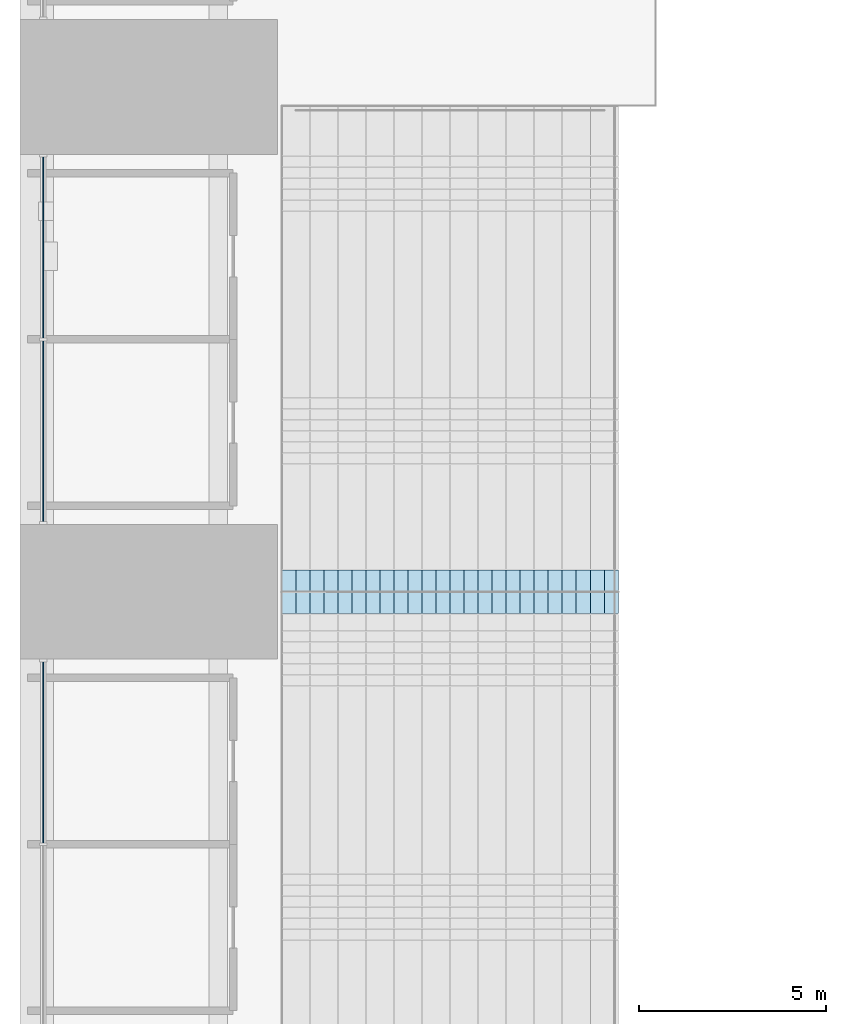
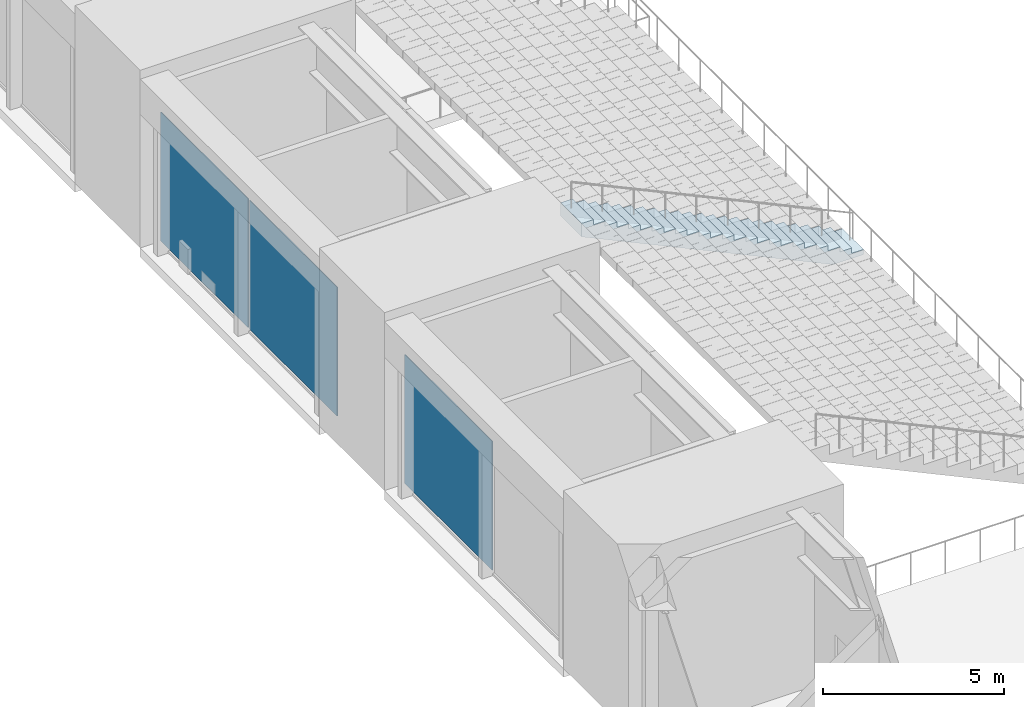
# One storey, part 18 of 61: 3 plates, 1 slab, 2 elements without a shape of their own.
"""IFC4 building model written with IfcOpenShell, lengths in metres."""

from ifc_helpers import new_model, si_unit, direction, frame, origin, origin_2d, place, context, subcontext, project, spatial, polyline, rectangle, outline, extrude, material, layer, layer_set, type_object, element, aggregate, save


model = new_model("IFC4")

# Units and contexts
model_context = context("Model", 3, precision=1e-05, world=origin(), true_north=direction((0.0, 1.0)))
body_context = subcontext(model_context, "Body", "Model", "MODEL_VIEW")
ifc_project = project(units=[si_unit("LENGTHUNIT", "METRE"), si_unit("AREAUNIT", "SQUARE_METRE"), si_unit("VOLUMEUNIT", "CUBIC_METRE"), si_unit("PLANEANGLEUNIT", "RADIAN"), si_unit("MASSUNIT", "GRAM", prefix="KILO")], contexts=[model_context])

# Site, building, storey
site_placement = place(None, origin())
site = spatial("IfcSite", under=ifc_project, at=site_placement, CompositionType="ELEMENT")
building_placement = place(site_placement, origin())
building = spatial("IfcBuilding", under=site, at=building_placement, Name="Corbelhall Arena Tower", CompositionType="ELEMENT")
storey_placement = place(building_placement, frame((0.0, 0.0, 31.0)))
storey = spatial("IfcBuildingStorey", under=building, at=storey_placement, Name="L04", CompositionType="ELEMENT", Elevation=31.0)

# Slab
ifc_material_1 = material(Name="Precast concrete C40/50", Category="concrete")
ifc_layer_1 = layer(ifc_material_1, 0.25)
ifc_layer_set_1 = layer_set([ifc_layer_1], Name="AISLE STEPS (BC 1029)")
slab_type = type_object("IfcSlabType", Name="AISLE STEPS (BC 1029)", PredefinedType="FLOOR", material=ifc_layer_set_1)
slab_placement = place(storey_placement, frame((-32.0, 0.0, 1.625), z_axis=(0.0, 0.0, 1.0), x_axis=(-1.0, 0.0, 0.0)))
element("IfcSlab", 1, at=slab_placement, inside=storey, type_object=slab_type, Name="Aisle steps UW-AIS1", PredefinedType="FLOOR", context=body_context, shape_type="SweptSolid", body=[
    extrude(outline(polyline([(0.0, 0.0), (0.0, 0.175048828125), (0.375, 0.175048828125), (0.375, 0.35009765625), (0.75, 0.35009765625), (0.75, 0.52490234375), (1.125, 0.52490234375), (1.125, 0.699951171875), (1.5, 0.699951171875), (1.5, 0.875), (1.875, 0.875), (1.875, 1.050048828125), (2.25, 1.050048828125), (2.25, 1.22509765625), (2.625, 1.22509765625), (2.625, 1.39990234375), (3.0, 1.39990234375), (3.0, 1.574951171875), (3.375, 1.574951171875), (3.375, 1.75), (3.75, 1.75), (3.75, 1.925048828125), (4.125, 1.925048828125), (4.125, 2.10009765625), (4.5, 2.10009765625), (4.5, 2.27490234375), (4.875, 2.27490234375), (4.875, 2.449951171875), (5.25, 2.449951171875), (5.25, 2.625), (5.625, 2.625), (5.625, 2.800048828125), (6.0, 2.800048828125), (6.0, 2.97509765625), (6.375, 2.97509765625), (6.375, 3.14990234375), (6.75, 3.14990234375), (6.75, 3.324951171875), (7.125, 3.324951171875), (7.125, 3.5), (7.5, 3.5), (7.5, 3.675048828125), (7.875, 3.675048828125), (7.875, 3.85009765625), (8.25, 3.85009765625), (8.25, 4.02490234375), (8.625, 4.02490234375), (8.625, 4.199951171875), (9.0, 4.199951171875), (9.0, 4.375), (9.0, 3.7490234375), (0.966552734375, 0.0), (0.0, 0.0)])), frame((0.0, 0.580078125, 0.0), z_axis=(0.0, -1.0, 0.0), x_axis=(1.0, 0.0, 0.0)), (0.0, 0.0, 1.0), 1.159912109375),
])

# Curtain wall, plates
ifc_material_2 = material(Name="Aluminium black anodised", Category="aluminium")
ifc_layer_2 = layer(ifc_material_2, 0.239990234375)
ifc_layer_set_2 = layer_set([ifc_layer_2], Name="EV-CW4 Arena concourse glazing")
curtain_wall_type = type_object("IfcCurtainWallType", Name="EV-CW4 Arena concourse glazing", PredefinedType="NOTDEFINED", material=ifc_layer_set_2)
curtain_wall_1_placement = place(storey_placement, origin())
curtain_wall_1 = element("IfcCurtainWall", 2, at=curtain_wall_1_placement, inside=storey, type_object=curtain_wall_type, Name="Curtain wall CW4", PredefinedType="NOTDEFINED")
ifc_material_3 = material(Name="Glass dark tinted laminated", Category="glass")
ifc_layer_3 = layer(ifc_material_3, 0.028076171875)
ifc_layer_set_3 = layer_set([ifc_layer_3], Name="EV-CW4-PANEL")
plate_type = type_object("IfcPlateType", Name="EV-CW4-PANEL", PredefinedType="CURTAIN_PANEL", material=ifc_layer_set_3)
plate_1_placement = place(storey_placement, frame((-47.3798828125, 9.206298828125, 0.074951171875), z_axis=(0.0, 0.0, 1.0), x_axis=(0.0, -1.0, 0.0)))
plate_1 = element("IfcPlate", 3, at=plate_1_placement, type_object=plate_type, Name="CW4 panel 1.1", PredefinedType="CURTAIN_PANEL", context=body_context, shape_type="SweptSolid", body=[
    extrude(rectangle(XDim=4.83740234375, YDim=0.028076171875, at=origin_2d()), origin(), (0.0, 0.0, 1.0), 4.35009765625),
])
plate_2_placement = place(storey_placement, frame((-47.3798828125, 4.293701171875, 0.074951171875), z_axis=(0.0, 0.0, 1.0), x_axis=(0.0, -1.0, 0.0)))
plate_2 = element("IfcPlate", 4, at=plate_2_placement, type_object=plate_type, Name="CW4 panel 2.1", PredefinedType="CURTAIN_PANEL", context=body_context, shape_type="SweptSolid", body=[
    extrude(rectangle(XDim=4.83740234375, YDim=0.028076171875, at=origin_2d()), origin(), (0.0, 0.0, 1.0), 4.35009765625),
])
aggregate(curtain_wall_1, [plate_1, plate_2])

# Curtain wall, plate
curtain_wall_2_placement = place(storey_placement, origin())
curtain_wall_2 = element("IfcCurtainWall", 5, at=curtain_wall_2_placement, inside=storey, type_object=curtain_wall_type, Name="Curtain wall CW4", PredefinedType="NOTDEFINED")
plate_3_placement = place(storey_placement, frame((-47.3798828125, -4.293701171875, 0.074951171875), z_axis=(0.0, 0.0, 1.0), x_axis=(0.0, -1.0, 0.0)))
plate_3 = element("IfcPlate", 6, at=plate_3_placement, type_object=plate_type, Name="CW4 panel 1.1", PredefinedType="CURTAIN_PANEL", context=body_context, shape_type="SweptSolid", body=[
    extrude(rectangle(XDim=4.83740234375, YDim=0.028076171875, at=origin_2d()), origin(), (0.0, 0.0, 1.0), 4.35009765625),
])
aggregate(curtain_wall_2, [plate_3])

save(model, "model.ifc")
